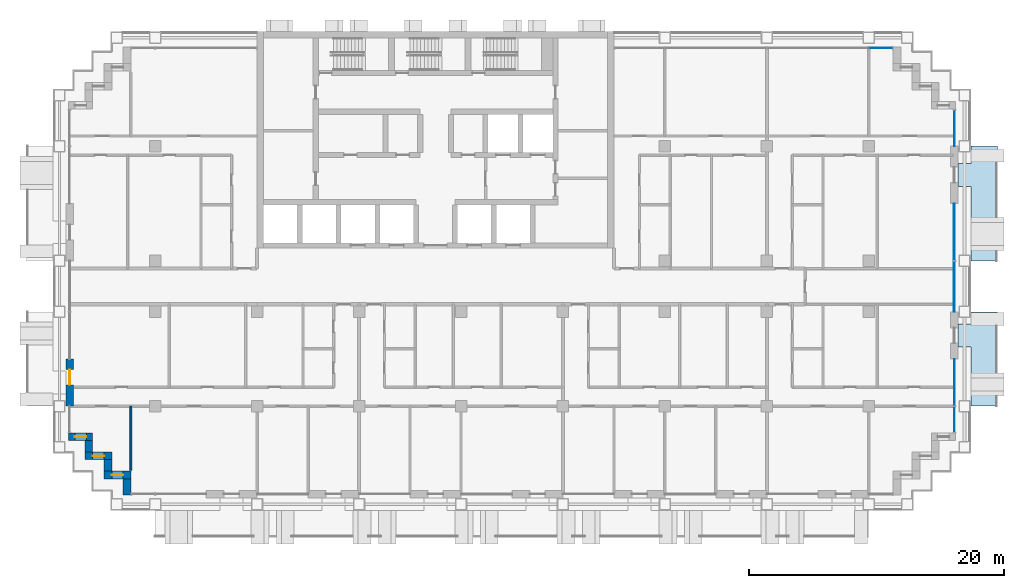
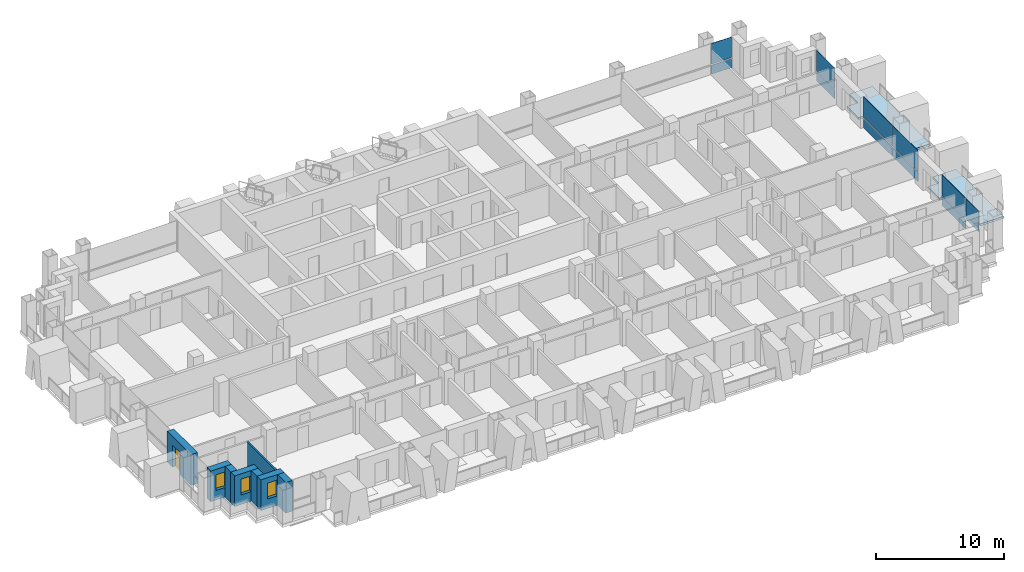
# One storey, part 8 of 18: 11 plates, 8 walls, 3 windows, 2 slabs, 1 door, 4 openings, 4 elements without a shape of their own.
"""IFC4 building model written with IfcOpenShell, lengths in metres."""

import ifcopenshell
import ifcopenshell.guid

model = None  # the IFC model being written
_history = None  # IfcOwnerHistory: only IFC2X3 demands one
_inside = {}  # id of a spatial element -> (the spatial element, [elements in it])
_under = {}  # id of a project, library or spatial element -> (it, [spatial elements below it])
_declared = {}  # id of a project -> (the project, [libraries it declares])
_typed = {}  # id of a type object -> (the type object, [elements of that type])
_made_of = {}  # id of a material, layer set ... -> (it, [elements and type objects made of it])


def new_model(schema):
    """Start an empty IFC model of exactly this schema.

    Asked for "IFC4X3", IfcOpenShell would pick the latest addendum, in which some entities
    have other attributes; the version numbers below select the first issue.
    IFC2X3 requires an IfcOwnerHistory on every rooted entity: one is made here for all.
    """
    global model, _history
    if schema == "IFC4X3":
        model = ifcopenshell.file(schema_version=(4, 3, 0, 0))
    else:
        model = ifcopenshell.file(schema=schema)
    _inside.clear()
    _under.clear()
    _declared.clear()
    _typed.clear()
    _made_of.clear()
    _history = None
    if model.schema == "IFC2X3":
        org = make("IfcOrganization", Name="unknown")
        user = make(
            "IfcPersonAndOrganization",
            ThePerson=make("IfcPerson", FamilyName="unknown"),
            TheOrganization=org,
        )
        app = make(
            "IfcApplication",
            ApplicationDeveloper=org,
            Version="unknown",
            ApplicationFullName="unknown",
            ApplicationIdentifier="unknown",
        )
        _history = make(
            "IfcOwnerHistory",
            OwningUser=user,
            OwningApplication=app,
            ChangeAction="ADDED",
            CreationDate=0,
        )
    return model


def make(cls, **values):
    """One entity of the class cls with the attributes given. An attribute that is None is left unset."""
    return model.create_entity(
        cls, **{name: value for name, value in values.items() if value is not None}
    )


def rooted(cls, **values):
    """An entity with a GlobalId (a new one), such as an element, a storey or a relation."""
    return make(cls, GlobalId=ifcopenshell.guid.new(), OwnerHistory=_history, **values)


def si_unit(unit_type, name, prefix=None):
    """IfcSIUnit, for example si_unit("LENGTHUNIT", "METRE", prefix="MILLI")."""
    return make("IfcSIUnit", UnitType=unit_type, Prefix=prefix, Name=name)


def assignment(units):
    """IfcUnitAssignment: the units of a project."""
    return None if units is None else make("IfcUnitAssignment", Units=units)


def point(xyz):
    """IfcCartesianPoint."""
    return None if xyz is None else make("IfcCartesianPoint", Coordinates=xyz)


def direction(xyz):
    """IfcDirection."""
    return None if xyz is None else make("IfcDirection", DirectionRatios=xyz)


def frame(location, z_axis=None, x_axis=None):
    """IfcAxis2Placement3D, a coordinate frame: its origin and axes. An axis left out is left unset."""
    return make(
        "IfcAxis2Placement3D",
        Location=point(location),
        Axis=direction(z_axis),
        RefDirection=direction(x_axis),
    )


def frame_2d(location, x_axis=None):
    """IfcAxis2Placement2D, a coordinate frame in the plane: its origin and x axis."""
    return make(
        "IfcAxis2Placement2D", Location=point(location), RefDirection=direction(x_axis)
    )


def origin():
    """The frame at (0, 0, 0) with its axes left unset."""
    return frame((0.0, 0.0, 0.0))


def origin_2d():
    """The frame at (0, 0) in the plane with its x axis left unset."""
    return frame_2d((0.0, 0.0))


def place(relative_to, where):
    """IfcLocalPlacement: puts the frame where relative to a parent placement (None: the world)."""
    return make(
        "IfcLocalPlacement", PlacementRelTo=relative_to, RelativePlacement=where
    )


def context(
    kind, dimensions, precision=None, world=None, true_north=None, identifier=None
):
    """IfcGeometricRepresentationContext, for example the 3D "Model" context."""
    return make(
        "IfcGeometricRepresentationContext",
        ContextIdentifier=identifier,
        ContextType=kind,
        CoordinateSpaceDimension=dimensions,
        Precision=precision,
        WorldCoordinateSystem=world,
        TrueNorth=true_north,
    )


def subcontext(parent, identifier, kind, view, scale=None):
    """IfcGeometricRepresentationSubContext, for example "Body" below "Model"."""
    return make(
        "IfcGeometricRepresentationSubContext",
        ContextIdentifier=identifier,
        ContextType=kind,
        ParentContext=parent,
        TargetScale=scale,
        TargetView=view,
    )


def project(units=None, contexts=None):
    """IfcProject with its units and contexts."""
    return rooted(
        "IfcProject",
        Name="project",
        RepresentationContexts=contexts,
        UnitsInContext=assignment(units),
    )


def spatial(cls, under=None, at=None, **own):
    """A site, building, storey or space (cls), placed at a placement, below another one or the project."""
    s = rooted(cls, ObjectPlacement=at, **own)
    if under is not None:
        _under.setdefault(under.id(), (under, []))[1].append(s)
    return s


def polyline(points):
    """IfcPolyline through the points."""
    return make("IfcPolyline", Points=[point(p) for p in points])


def profile(cls, at=None, kind="AREA", **sizes):
    """A parametric profile (cls). Its sizes go by their IFC names, for example OverallWidth=200.0."""
    return make(cls, ProfileType=kind, Position=at, **sizes)


def rectangle(**sizes):
    """IfcRectangleProfileDef."""
    return profile("IfcRectangleProfileDef", **sizes)


def outline(outer, holes=None, kind="AREA"):
    """IfcArbitraryClosedProfileDef: a profile drawn as a closed curve; with holes, ...WithVoids."""
    if holes is None:
        return make("IfcArbitraryClosedProfileDef", ProfileType=kind, OuterCurve=outer)
    return make(
        "IfcArbitraryProfileDefWithVoids",
        ProfileType=kind,
        OuterCurve=outer,
        InnerCurves=holes,
    )


def extrude(swept, where, along, depth):
    """IfcExtrudedAreaSolid: the profile swept, set in the frame where, extruded along a direction by depth."""
    return make(
        "IfcExtrudedAreaSolid",
        SweptArea=swept,
        Position=where,
        ExtrudedDirection=direction(along),
        Depth=depth,
    )


def shape(context_of_items, identifier, shape_type, items):
    """IfcShapeRepresentation: the items that make up one representation, for example the "Body"."""
    return make(
        "IfcShapeRepresentation",
        ContextOfItems=context_of_items,
        RepresentationIdentifier=identifier,
        RepresentationType=shape_type,
        Items=items,
    )


def material(Name=None, Category=None):
    """IfcMaterial."""
    return make("IfcMaterial", Name=Name, Category=Category)


def layer(
    of_material, thickness, ventilated=None, Name=None, Category=None, Priority=None
):
    """IfcMaterialLayer: one layer of a wall or slab, of a material (None: an air gap)."""
    return make(
        "IfcMaterialLayer",
        Material=of_material,
        LayerThickness=thickness,
        IsVentilated=ventilated,
        Name=Name,
        Category=Category,
        Priority=Priority,
    )


def layer_set(layers, Name=None):
    """IfcMaterialLayerSet."""
    return make("IfcMaterialLayerSet", MaterialLayers=layers, LayerSetName=Name)


def made_of(thing, what):
    """Note that an element or type object is made of a material, layer set ...; save() writes the relation."""
    if what is not None:
        _made_of.setdefault(what.id(), (what, []))[1].append(thing)
    return thing


def type_object(cls, material=None, **own):
    """A type object (cls), such as IfcWallType, which elements share."""
    return made_of(rooted(cls, **own), material)


def element(
    cls,
    number,
    at=None,
    inside=None,
    cuts=None,
    type_object=None,
    material=None,
    context=None,
    identifier="Body",
    shape_type=None,
    held_by="IfcProductDefinitionShape",
    body=None,
    shapes=None,
    **own,
):
    """One element of the class cls, such as IfcWall. Its Tag is "e" and its number.

    at: its placement. inside: the storey or other place that contains it. cuts: it is an
    opening in that element (IfcRelVoidsElement). A single representation is given by context,
    identifier, shape_type and body (its items); several are given by shapes. held_by: the class
    of the entity that holds the representations. save() writes the other relations.
    """
    e = rooted(cls, Tag="e%d" % number, ObjectPlacement=at, **own)
    if body is not None:
        shapes = [shape(context, identifier, shape_type, body)]
    if shapes is not None:
        e.Representation = make(held_by, Representations=shapes)
    if inside is not None:
        _inside.setdefault(inside.id(), (inside, []))[1].append(e)
    if cuts is not None:
        rooted(
            "IfcRelVoidsElement", RelatingBuildingElement=cuts, RelatedOpeningElement=e
        )
    if type_object is not None:
        _typed.setdefault(type_object.id(), (type_object, []))[1].append(e)
    return made_of(e, material)


def fill(opening, filler):
    """IfcRelFillsElement: the door or window that sits in an opening."""
    return rooted(
        "IfcRelFillsElement",
        RelatingOpeningElement=opening,
        RelatedBuildingElement=filler,
    )


def aggregate(whole, parts):
    """IfcRelAggregates: a whole, such as a stair, and the parts it consists of."""
    return rooted("IfcRelAggregates", RelatingObject=whole, RelatedObjects=parts)


def save(model, path):
    """Write the relations noted so far, then the file.

    IfcRelAggregates (storeys below a building ...), IfcRelContainedInSpatialStructure (elements
    in a storey), IfcRelDefinesByType, IfcRelAssociatesMaterial and IfcRelDeclares: one each for
    every whole, place, type object, material and project.
    """
    for whole, parts in _under.values():
        aggregate(whole, parts)
    for where, things in _inside.values():
        rooted(
            "IfcRelContainedInSpatialStructure",
            RelatedElements=things,
            RelatingStructure=where,
        )
    for kind, things in _typed.values():
        rooted("IfcRelDefinesByType", RelatedObjects=things, RelatingType=kind)
    for what, things in _made_of.values():
        rooted("IfcRelAssociatesMaterial", RelatedObjects=things, RelatingMaterial=what)
    for by, libraries in _declared.values():
        rooted("IfcRelDeclares", RelatingContext=by, RelatedDefinitions=libraries)
    model.write(path)


model = new_model("IFC4")

# Units and contexts
model_context = context("Model", 3, precision=1e-05, world=origin(), true_north=direction((0.0, 1.0)))
body_context = subcontext(model_context, "Body", "Model", "MODEL_VIEW")
ifc_project = project(units=[si_unit("LENGTHUNIT", "METRE"), si_unit("AREAUNIT", "SQUARE_METRE"), si_unit("VOLUMEUNIT", "CUBIC_METRE"), si_unit("PLANEANGLEUNIT", "RADIAN"), si_unit("MASSUNIT", "GRAM", prefix="KILO")], contexts=[model_context])

# Site, building, storey
site_placement = place(None, origin())
site = spatial("IfcSite", under=ifc_project, at=site_placement, CompositionType="ELEMENT")
building_placement = place(site_placement, origin())
building = spatial("IfcBuilding", under=site, at=building_placement, Name="Vidyagriha Tower", CompositionType="ELEMENT")
storey_placement = place(building_placement, frame((0.0, 0.0, 83.89990234375)))
storey = spatial("IfcBuildingStorey", under=building, at=storey_placement, Name="L21", CompositionType="ELEMENT", Elevation=83.89990234375)

# Curtain wall, plate
ifc_material_1 = material(Name="Aluminium and glass curtain wall", Category="aluminium")
curtain_wall_type = type_object("IfcCurtainWallType", Name="Dwelling skin unitised curtain wall", PredefinedType="USERDEFINED", material=ifc_material_1)
curtain_wall_1_placement = place(storey_placement, origin())
curtain_wall_1 = element("IfcCurtainWall", 1, at=curtain_wall_1_placement, inside=storey, type_object=curtain_wall_type, Name="CW1 dwelling skin", ObjectType="UNITISED", PredefinedType="USERDEFINED")
ifc_material_2 = material(Name="Glass dark ceramic-fritted spandrel", Category="glass")
ifc_layer_1 = layer(ifc_material_2, 0.0400390625)
ifc_layer_set_1 = layer_set([ifc_layer_1], Name="Glass dark ceramic-fritted spandrel")
plate_type_1 = type_object("IfcPlateType", Name="Ceramic-fritted spandrel panel", PredefinedType="CURTAIN_PANEL", material=ifc_layer_set_1)
plate_1_placement = place(storey_placement, frame((34.9326171875, 18.699951171875, 0.0), z_axis=(0.0, 0.0, 1.0), x_axis=(-1.0, 0.0, 0.0)))
plate_1 = element("IfcPlate", 2, at=plate_1_placement, type_object=plate_type_1, Name="CW1 panel 1.1", PredefinedType="CURTAIN_PANEL", context=body_context, shape_type="SweptSolid", body=[
    extrude(rectangle(XDim=1.794921875, YDim=0.0400390625, at=origin_2d()), origin(), (0.0, 0.0, 1.0), 0.85009765625),
])

curtain_wall_2_placement = place(storey_placement, origin())
curtain_wall_2 = element("IfcCurtainWall", 3, at=curtain_wall_2_placement, inside=storey, type_object=curtain_wall_type, Name="CW1 dwelling skin", ObjectType="UNITISED", PredefinedType="USERDEFINED")
plate_2_placement = place(storey_placement, frame((40.699951171875, -7.532470703125, 0.0), z_axis=(0.0, 0.0, 1.0), x_axis=(0.0, 1.0, 0.0)))
plate_2 = element("IfcPlate", 4, at=plate_2_placement, type_object=plate_type_1, Name="CW1 panel 2.1", PredefinedType="CURTAIN_PANEL", context=body_context, shape_type="SweptSolid", body=[
    extrude(rectangle(XDim=3.6650390625, YDim=0.0400390625, at=origin_2d()), origin(), (0.0, 0.0, 1.0), 0.85009765625),
])

curtain_wall_3_placement = place(storey_placement, origin())
curtain_wall_3 = element("IfcCurtainWall", 5, at=curtain_wall_3_placement, inside=storey, type_object=curtain_wall_type, Name="CW1 dwelling skin", ObjectType="UNITISED", PredefinedType="USERDEFINED")
plate_3_placement = place(storey_placement, frame((40.699951171875, 12.4150390625, 0.0), z_axis=(0.0, 0.0, 1.0), x_axis=(0.0, 1.0, 0.0)))
plate_3 = element("IfcPlate", 6, at=plate_3_placement, type_object=plate_type_1, Name="CW1 panel 1.1", PredefinedType="CURTAIN_PANEL", context=body_context, shape_type="SweptSolid", body=[
    extrude(rectangle(XDim=2.830078125, YDim=0.0400390625, at=origin_2d()), origin(), (0.0, 0.0, 1.0), 0.85009765625),
])

# Plate
ifc_material_3 = material(Name="Glass dark ceramic-fritted", Category="glass")
ifc_layer_2 = layer(ifc_material_3, 0.028076171875)
ifc_layer_set_2 = layer_set([ifc_layer_2], Name="Glass dark ceramic-fritted")
plate_type_2 = type_object("IfcPlateType", Name="Dark ceramic-fritted vision glass panel", PredefinedType="CURTAIN_PANEL", material=ifc_layer_set_2)
plate_4_placement = place(storey_placement, frame((34.9326171875, 18.699951171875, 0.9501953125), z_axis=(0.0, 0.0, 1.0), x_axis=(-1.0, 0.0, 0.0)))
plate_4 = element("IfcPlate", 7, at=plate_4_placement, type_object=plate_type_2, Name="CW1 panel 1.2", PredefinedType="CURTAIN_PANEL", context=body_context, shape_type="SweptSolid", body=[
    extrude(rectangle(XDim=1.794921875, YDim=0.028076171875, at=origin_2d()), origin(), (0.0, 0.0, 1.0), 1.969970703125),
])

aggregate(curtain_wall_1, [plate_1, plate_4])

plate_5_placement = place(storey_placement, frame((40.699951171875, -10.4326171875, 0.9501953125), z_axis=(0.0, 0.0, 1.0), x_axis=(0.0, 1.0, 0.0)))
plate_5 = element("IfcPlate", 8, at=plate_5_placement, type_object=plate_type_2, Name="CW1 panel 1.2", PredefinedType="CURTAIN_PANEL", context=body_context, shape_type="SweptSolid", body=[
    extrude(rectangle(XDim=1.9951171875, YDim=0.028076171875, at=origin_2d()), origin(), (0.0, 0.0, 1.0), 1.969970703125),
])

plate_6_placement = place(storey_placement, frame((40.699951171875, -7.532470703125, 0.9501953125), z_axis=(0.0, 0.0, 1.0), x_axis=(0.0, 1.0, 0.0)))
plate_6 = element("IfcPlate", 9, at=plate_6_placement, type_object=plate_type_2, Name="CW1 panel 2.2", PredefinedType="CURTAIN_PANEL", context=body_context, shape_type="SweptSolid", body=[
    extrude(rectangle(XDim=3.6650390625, YDim=0.028076171875, at=origin_2d()), origin(), (0.0, 0.0, 1.0), 1.969970703125),
])

aggregate(curtain_wall_2, [plate_5, plate_2, plate_6])

# Curtain wall, plates
curtain_wall_4_placement = place(storey_placement, origin())
curtain_wall_4 = element("IfcCurtainWall", 10, at=curtain_wall_4_placement, inside=storey, type_object=curtain_wall_type, Name="CW1 dwelling skin", ObjectType="UNITISED", PredefinedType="USERDEFINED")
plate_7_placement = place(storey_placement, frame((40.699951171875, -0.017578125, 0.9501953125), z_axis=(0.0, 0.0, 1.0), x_axis=(0.0, 1.0, 0.0)))
plate_7 = element("IfcPlate", 11, at=plate_7_placement, type_object=plate_type_2, Name="CW1 panel 1.2", PredefinedType="CURTAIN_PANEL", context=body_context, shape_type="SweptSolid", body=[
    extrude(rectangle(XDim=3.965087890625, YDim=0.028076171875, at=origin_2d()), origin(), (0.0, 0.0, 1.0), 1.969970703125),
])
plate_8_placement = place(storey_placement, frame((40.699951171875, 4.267578125, 0.9501953125), z_axis=(0.0, 0.0, 1.0), x_axis=(0.0, 1.0, 0.0)))
plate_8 = element("IfcPlate", 12, at=plate_8_placement, type_object=plate_type_2, Name="CW1 panel 2.2", PredefinedType="CURTAIN_PANEL", context=body_context, shape_type="SweptSolid", body=[
    extrude(rectangle(XDim=4.465087890625, YDim=0.028076171875, at=origin_2d()), origin(), (0.0, 0.0, 1.0), 1.969970703125),
])

# Plate
plate_9_placement = place(storey_placement, frame((40.699951171875, 12.4150390625, 0.9501953125), z_axis=(0.0, 0.0, 1.0), x_axis=(0.0, 1.0, 0.0)))
plate_9 = element("IfcPlate", 13, at=plate_9_placement, type_object=plate_type_2, Name="CW1 panel 1.2", PredefinedType="CURTAIN_PANEL", context=body_context, shape_type="SweptSolid", body=[
    extrude(rectangle(XDim=2.830078125, YDim=0.028076171875, at=origin_2d()), origin(), (0.0, 0.0, 1.0), 1.969970703125),
])

aggregate(curtain_wall_3, [plate_3, plate_9])

ifc_material_4 = material(Name="Aluminium black anodised", Category="aluminium")
ifc_layer_3 = layer(ifc_material_4, 0.06005859375)
ifc_layer_set_3 = layer_set([ifc_layer_3], Name="Aluminium black anodised")
plate_type_3 = type_object("IfcPlateType", Name="Operable black-metal vent panel", PredefinedType="CURTAIN_PANEL", material=ifc_layer_set_3)
plate_10_placement = place(storey_placement, frame((40.699951171875, -0.017578125, 0.0), z_axis=(0.0, 0.0, 1.0), x_axis=(0.0, 1.0, 0.0)))
plate_10 = element("IfcPlate", 14, at=plate_10_placement, type_object=plate_type_3, Name="CW1 panel 1.1", PredefinedType="CURTAIN_PANEL", context=body_context, shape_type="SweptSolid", body=[
    extrude(rectangle(XDim=3.965087890625, YDim=0.06005859375, at=origin_2d()), origin(), (0.0, 0.0, 1.0), 0.85009765625),
])

plate_11_placement = place(storey_placement, frame((40.699951171875, 4.267578125, 0.0), z_axis=(0.0, 0.0, 1.0), x_axis=(0.0, 1.0, 0.0)))
plate_11 = element("IfcPlate", 15, at=plate_11_placement, type_object=plate_type_3, Name="CW1 panel 2.1", PredefinedType="CURTAIN_PANEL", context=body_context, shape_type="SweptSolid", body=[
    extrude(rectangle(XDim=4.465087890625, YDim=0.06005859375, at=origin_2d()), origin(), (0.0, 0.0, 1.0), 0.85009765625),
])

aggregate(curtain_wall_4, [plate_10, plate_7, plate_11, plate_8])

# Slabs
ifc_material_5 = material(Name="Precast concrete C40/50", Category="concrete")
ifc_layer_4 = layer(ifc_material_5, 0.199951171875)
ifc_layer_set_4 = layer_set([ifc_layer_4], Name="Precast concrete C40/50")
slab_type = type_object("IfcSlabType", Name="Precast balcony slab 200", PredefinedType="USERDEFINED", material=ifc_layer_set_4)
slab_1_placement = place(storey_placement, frame((0.0, 0.0, -0.199951171875)))
element("IfcSlab", 16, at=slab_1_placement, inside=storey, type_object=slab_type, Name="Balcony slab L21 R30.1-1", ObjectType="BALCONY", PredefinedType="USERDEFINED", context=body_context, shape_type="SweptSolid", body=[
    extrude(outline(polyline([(42.0, -4.75), (42.0, -9.39990234375), (44.10009765625, -9.39990234375), (44.10009765625, -2.0), (42.0, -2.0), (42.0, -2.949951171875), (41.0, -2.949951171875), (41.0, -4.75), (42.0, -4.75)])), origin(), (0.0, 0.0, 1.0), 0.199951171875),
])
slab_2_placement = place(storey_placement, frame((0.0, 0.0, -0.199951171875)))
element("IfcSlab", 17, at=slab_2_placement, inside=storey, type_object=slab_type, Name="Balcony slab L21 R30.2-2", ObjectType="BALCONY", PredefinedType="USERDEFINED", context=body_context, shape_type="SweptSolid", body=[
    extrude(outline(polyline([(42.0, 7.85009765625), (42.0, 2.0), (44.10009765625, 2.0), (44.10009765625, 11.0), (42.0, 11.0), (42.0, 9.64990234375), (41.0, 9.64990234375), (41.0, 7.85009765625), (42.0, 7.85009765625)])), origin(), (0.0, 0.0, 1.0), 0.199951171875),
])

# Wall, opening, door
ifc_material_6 = material(Name="Precast concrete C40/50 with brick facing", Category="concrete")
ifc_layer_5 = layer(ifc_material_6, 0.60009765625)
ifc_layer_set_5 = layer_set([ifc_layer_5], Name="Precast concrete C40/50 with brick facing")
wall_type_1 = type_object("IfcWallType", Name="Brick-faced precast wall 600", PredefinedType="STANDARD", material=ifc_layer_set_5)
wall_1_placement = place(storey_placement, frame((-28.699951171875, -5.699951171875, 0.0), z_axis=(0.0, 0.0, 1.0), x_axis=(0.0, -1.0, 0.0)))
wall_1 = element("IfcWall", 18, at=wall_1_placement, inside=storey, type_object=wall_type_1, Name="Brick door bay wall L21 R16.6", PredefinedType="STANDARD", context=body_context, shape_type="SweptSolid", body=[
    extrude(rectangle(XDim=3.699951171875, YDim=0.60009765625, at=frame_2d((1.85009765625, 0.0))), origin(), (0.0, 0.0, 1.0), 2.920166015625),
])
opening_1_placement = place(wall_1_placement, frame((0.824951171875, 0.0, 0.0)))
opening_1 = element("IfcOpeningElement", 19, at=opening_1_placement, cuts=wall_1, Name="Opening D21-73", PredefinedType="OPENING", context=body_context, shape_type="SweptSolid", body=[
    extrude(rectangle(XDim=1.199951171875, YDim=2.10009765625, at=frame_2d((0.60009765625, 1.050048828125))), frame((0.0, 0.31005859375, 0.0), z_axis=(0.0, -1.0, 0.0), x_axis=(1.0, 0.0, 0.0)), (0.0, 0.0, 1.0), 0.6201171875),
])
ifc_material_7 = material(Name="Aluminium framed glazed sliding door", Category="aluminium")
door_type = type_object("IfcDoorType", Name="Balcony sliding door 1200x2100", OperationType="NOTDEFINED", PredefinedType="DOOR", material=ifc_material_7)
door_placement = place(opening_1_placement, origin())
door = element("IfcDoor", 20, at=door_placement, inside=storey, type_object=door_type, Name="Door D21-73", OperationType="SLIDING_TO_LEFT", OverallHeight=2.10009765625, OverallWidth=1.199951171875, PredefinedType="DOOR", context=body_context, shape_type="SweptSolid", body=[
    extrude(rectangle(XDim=1.199951171875, YDim=2.10009765625, at=frame_2d((0.60009765625, 1.050048828125))), frame((0.0, 0.02490234375, 0.0), z_axis=(0.0, -1.0, 0.0), x_axis=(1.0, 0.0, 0.0)), (0.0, 0.0, 1.0), 0.050048828125),
])
fill(opening_1, door)

# Wall, opening, window
wall_2_placement = place(storey_placement, frame((-28.780029296875, -11.800048828125, 0.0)))
wall_2 = element("IfcWall", 21, at=wall_2_placement, inside=storey, type_object=wall_type_1, Name="Stepped corner wall L21 R17", PredefinedType="STANDARD", context=body_context, shape_type="SweptSolid", body=[
    extrude(rectangle(XDim=1.880126953125, YDim=0.60009765625, at=frame_2d((0.93994140625, 0.0))), origin(), (0.0, 0.0, 1.0), 2.920166015625),
])
opening_2_placement = place(wall_2_placement, frame((0.489990234375, 0.0, 0.89990234375)))
opening_2 = element("IfcOpeningElement", 22, at=opening_2_placement, cuts=wall_2, Name="Opening WN1", PredefinedType="OPENING", context=body_context, shape_type="SweptSolid", body=[
    extrude(rectangle(XDim=0.89990234375, YDim=1.5, at=frame_2d((0.449951171875, 0.75))), frame((0.0, 0.31005859375, 0.0), z_axis=(0.0, -1.0, 0.0), x_axis=(1.0, 0.0, 0.0)), (0.0, 0.0, 1.0), 0.6201171875),
])
ifc_material_8 = material(Name="Aluminium and glass window", Category="aluminium")
window_type = type_object("IfcWindowType", Name="Reveal window 900x1500", PartitioningType="NOTDEFINED", PredefinedType="WINDOW", material=ifc_material_8)
window_1_placement = place(opening_2_placement, origin())
window_1 = element("IfcWindow", 23, at=window_1_placement, inside=storey, type_object=window_type, Name="Reveal window L21 R17", OverallHeight=1.5, OverallWidth=0.89990234375, PartitioningType="SINGLE_PANEL", PredefinedType="WINDOW", context=body_context, shape_type="SweptSolid", body=[
    extrude(rectangle(XDim=0.89990234375, YDim=1.5, at=frame_2d((0.449951171875, 0.75))), frame((0.0, 0.030029296875, 0.0), z_axis=(0.0, -1.0, 0.0), x_axis=(1.0, 0.0, 0.0)), (0.0, 0.0, 1.0), 0.06005859375),
])
fill(opening_2, window_1)

# Wall
wall_3_placement = place(storey_placement, frame((-27.199951171875, -12.10009765625, 0.0), z_axis=(0.0, 0.0, 1.0), x_axis=(0.0, -1.0, 0.0)))
element("IfcWall", 24, at=wall_3_placement, inside=storey, type_object=wall_type_1, Name="Stepped corner wall L21 R18", PredefinedType="STANDARD", context=body_context, shape_type="SweptSolid", body=[
    extrude(rectangle(XDim=0.89990234375, YDim=0.60009765625, at=frame_2d((0.449951171875, 0.0))), origin(), (0.0, 0.0, 1.0), 2.920166015625),
])

# Wall, opening, window
wall_4_placement = place(storey_placement, frame((-27.5, -13.300048828125, 0.0)))
wall_4 = element("IfcWall", 25, at=wall_4_placement, inside=storey, type_object=wall_type_1, Name="Stepped corner wall L21 R19", PredefinedType="STANDARD", context=body_context, shape_type="SweptSolid", body=[
    extrude(rectangle(XDim=2.10009765625, YDim=0.60009765625, at=frame_2d((1.050048828125, 0.0))), origin(), (0.0, 0.0, 1.0), 2.920166015625),
])
opening_3_placement = place(wall_4_placement, frame((0.60009765625, 0.0, 0.89990234375)))
opening_3 = element("IfcOpeningElement", 26, at=opening_3_placement, cuts=wall_4, Name="Opening WN1", PredefinedType="OPENING", context=body_context, shape_type="SweptSolid", body=[
    extrude(rectangle(XDim=0.89990234375, YDim=1.5, at=frame_2d((0.449951171875, 0.75))), frame((0.0, 0.31005859375, 0.0), z_axis=(0.0, -1.0, 0.0), x_axis=(1.0, 0.0, 0.0)), (0.0, 0.0, 1.0), 0.6201171875),
])
window_2_placement = place(opening_3_placement, origin())
window_2 = element("IfcWindow", 27, at=window_2_placement, inside=storey, type_object=window_type, Name="Reveal window L21 R19", OverallHeight=1.5, OverallWidth=0.89990234375, PartitioningType="SINGLE_PANEL", PredefinedType="WINDOW", context=body_context, shape_type="SweptSolid", body=[
    extrude(rectangle(XDim=0.89990234375, YDim=1.5, at=frame_2d((0.449951171875, 0.75))), frame((0.0, 0.030029296875, 0.0), z_axis=(0.0, -1.0, 0.0), x_axis=(1.0, 0.0, 0.0)), (0.0, 0.0, 1.0), 0.06005859375),
])
fill(opening_3, window_2)

# Wall
wall_5_placement = place(storey_placement, frame((-25.699951171875, -13.60009765625, 0.0), z_axis=(0.0, 0.0, 1.0), x_axis=(0.0, -1.0, 0.0)))
element("IfcWall", 28, at=wall_5_placement, inside=storey, type_object=wall_type_1, Name="Stepped corner wall L21 R20", PredefinedType="STANDARD", context=body_context, shape_type="SweptSolid", body=[
    extrude(rectangle(XDim=0.89990234375, YDim=0.60009765625, at=frame_2d((0.449951171875, 0.0))), origin(), (0.0, 0.0, 1.0), 2.920166015625),
])

# Wall, opening, window
wall_6_placement = place(storey_placement, frame((-26.0, -14.800048828125, 0.0)))
wall_6 = element("IfcWall", 29, at=wall_6_placement, inside=storey, type_object=wall_type_1, Name="Stepped corner wall L21 R21", PredefinedType="STANDARD", context=body_context, shape_type="SweptSolid", body=[
    extrude(rectangle(XDim=2.10009765625, YDim=0.60009765625, at=frame_2d((1.050048828125, 0.0))), origin(), (0.0, 0.0, 1.0), 2.920166015625),
])
opening_4_placement = place(wall_6_placement, frame((0.60009765625, 0.0, 0.89990234375)))
opening_4 = element("IfcOpeningElement", 30, at=opening_4_placement, cuts=wall_6, Name="Opening WN1", PredefinedType="OPENING", context=body_context, shape_type="SweptSolid", body=[
    extrude(rectangle(XDim=0.89990234375, YDim=1.5, at=frame_2d((0.449951171875, 0.75))), frame((0.0, 0.31005859375, 0.0), z_axis=(0.0, -1.0, 0.0), x_axis=(1.0, 0.0, 0.0)), (0.0, 0.0, 1.0), 0.6201171875),
])
window_3_placement = place(opening_4_placement, origin())
window_3 = element("IfcWindow", 31, at=window_3_placement, inside=storey, type_object=window_type, Name="Reveal window L21 R21", OverallHeight=1.5, OverallWidth=0.89990234375, PartitioningType="SINGLE_PANEL", PredefinedType="WINDOW", context=body_context, shape_type="SweptSolid", body=[
    extrude(rectangle(XDim=0.89990234375, YDim=1.5, at=frame_2d((0.449951171875, 0.75))), frame((0.0, 0.030029296875, 0.0), z_axis=(0.0, -1.0, 0.0), x_axis=(1.0, 0.0, 0.0)), (0.0, 0.0, 1.0), 0.06005859375),
])
fill(opening_4, window_3)

# Walls
wall_7_placement = place(storey_placement, frame((-24.199951171875, -15.10009765625, 0.0), z_axis=(0.0, 0.0, 1.0), x_axis=(0.0, -1.0, 0.0)))
element("IfcWall", 32, at=wall_7_placement, inside=storey, type_object=wall_type_1, Name="Stepped corner wall L21 R22", PredefinedType="STANDARD", context=body_context, shape_type="SweptSolid", body=[
    extrude(rectangle(XDim=1.27978515625, YDim=0.60009765625, at=frame_2d((0.639892578125, 0.0))), origin(), (0.0, 0.0, 1.0), 2.920166015625),
])
ifc_material_9 = material(Name="Gypsum board partition")
ifc_layer_6 = layer(ifc_material_9, 0.14990234375)
ifc_layer_set_6 = layer_set([ifc_layer_6], Name="Gypsum board partition")
wall_type_2 = type_object("IfcWallType", Name="Gypsum board partition 150", PredefinedType="PARTITIONING", material=ifc_layer_set_6)
wall_8_placement = place(storey_placement, frame((-23.89990234375, -9.39990234375, 0.0), z_axis=(0.0, 0.0, 1.0), x_axis=(0.0, -1.0, 0.0)))
element("IfcWall", 33, at=wall_8_placement, inside=storey, type_object=wall_type_2, Name="Wall all-L21-w017", PredefinedType="PARTITIONING", context=body_context, shape_type="SweptSolid", body=[
    extrude(rectangle(XDim=5.02001953125, YDim=0.14990234375, at=frame_2d((2.510009765625, 0.0))), origin(), (0.0, 0.0, 1.0), 2.400146484375),
])

save(model, "model.ifc")
